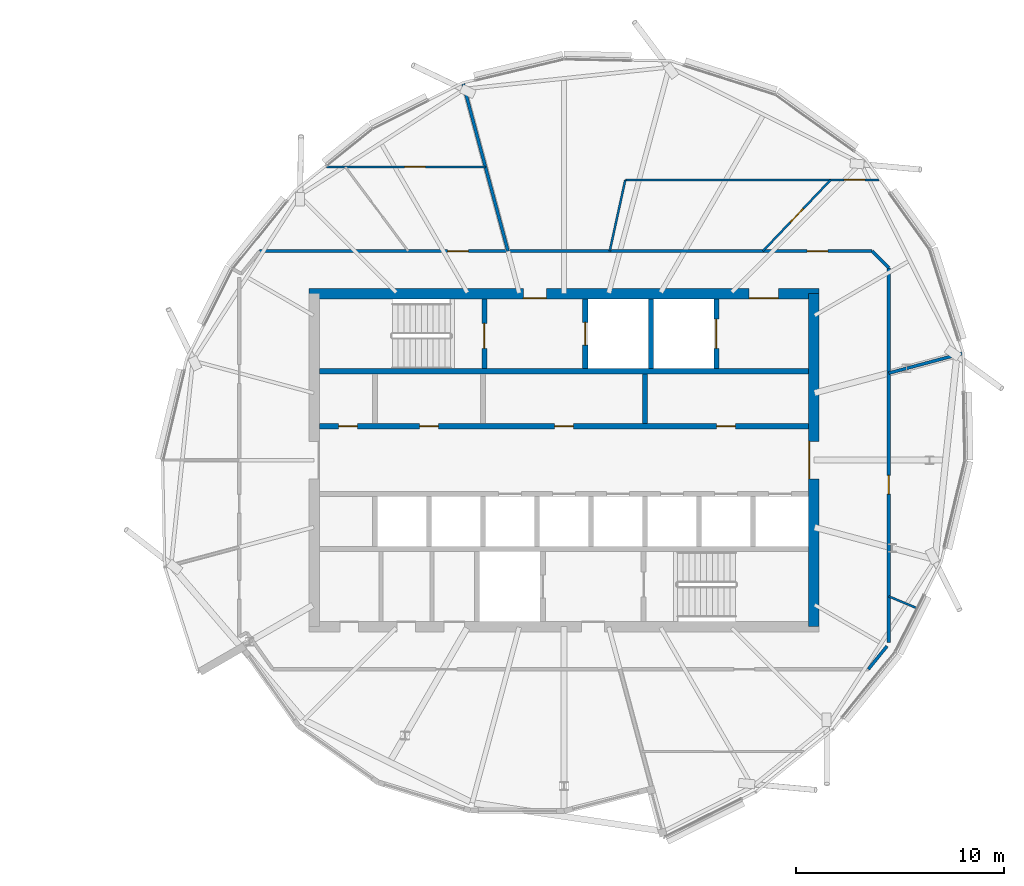
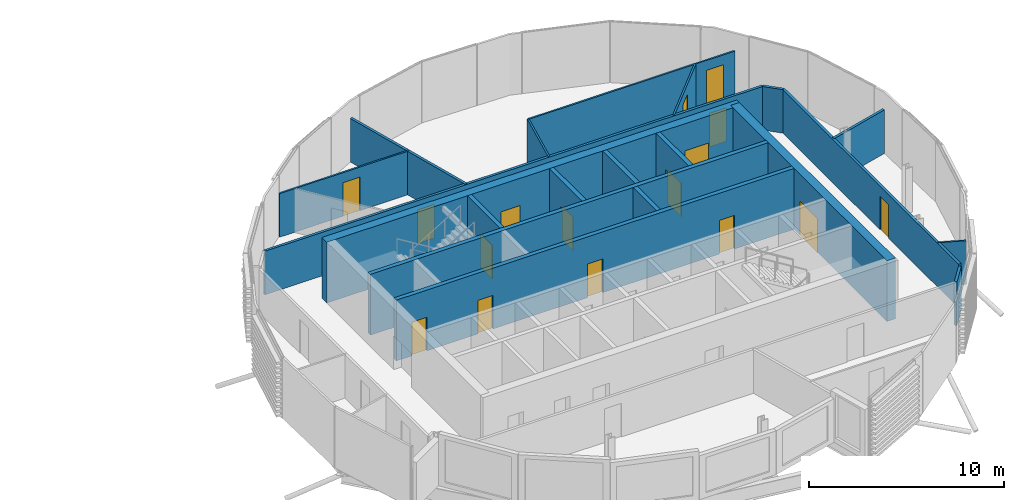
# One storey, part 21 of 33: 20 walls, 16 doors, 16 openings.
"""IFC4 building model written with IfcOpenShell, lengths in metres."""

from ifc_helpers import new_model, si_unit, direction, frame, frame_2d, origin, place, context, subcontext, project, spatial, rectangle, extrude, material, layer, layer_set, type_object, element, fill, save


model = new_model("IFC4")

# Units and contexts
model_context = context("Model", 3, precision=1e-05, world=origin(), true_north=direction((0.0, 1.0)))
body_context = subcontext(model_context, "Body", "Model", "MODEL_VIEW")
ifc_project = project(units=[si_unit("LENGTHUNIT", "METRE"), si_unit("AREAUNIT", "SQUARE_METRE"), si_unit("VOLUMEUNIT", "CUBIC_METRE"), si_unit("PLANEANGLEUNIT", "RADIAN"), si_unit("MASSUNIT", "GRAM", prefix="KILO")], contexts=[model_context])

# Site, building, storey
site_placement = place(None, origin())
site = spatial("IfcSite", under=ifc_project, at=site_placement, CompositionType="ELEMENT")
building_placement = place(site_placement, origin())
building = spatial("IfcBuilding", under=site, at=building_placement, Name="Rimbun Link Towers", CompositionType="ELEMENT")
storey_placement = place(building_placement, frame((0.0, 0.0, 240.89990234375)))
storey = spatial("IfcBuildingStorey", under=building, at=storey_placement, Name="L59", CompositionType="ELEMENT", Elevation=240.89990234375)

# Wall, openings, doors
ifc_material_1 = material(Name="Concrete C60/75", Category="concrete")
ifc_layer_1 = layer(ifc_material_1, 0.5)
ifc_layer_set_1 = layer_set([ifc_layer_1], Name="Core shear wall 500")
wall_type_1 = type_object("IfcWallType", Name="Core shear wall 500", PredefinedType="SHEAR", material=ifc_layer_set_1)
wall_1_placement = place(storey_placement, frame((19.5, 8.0, 0.0), z_axis=(0.0, 0.0, 1.0), x_axis=(1.0, 0.0, 0.0)))
wall_1 = element("IfcWall", 1, at=wall_1_placement, inside=storey, type_object=wall_type_1, Name="L59 T2 core wall N", PredefinedType="SHEAR", context=body_context, shape_type="SweptSolid", body=[
    extrude(rectangle(XDim=24.5, YDim=0.5, at=frame_2d((12.25, 0.0))), origin(), (0.0, 0.0, 1.0), 3.800048828125),
])
opening_1_placement = place(wall_1_placement, frame((10.300048828125, 0.0, 0.0)))
opening_1 = element("IfcOpeningElement", 2, at=opening_1_placement, cuts=wall_1, Name="Opening C2DCF01N", PredefinedType="OPENING", context=body_context, shape_type="SweptSolid", body=[
    extrude(rectangle(XDim=1.10009765625, YDim=2.10009765625, at=frame_2d((0.550048828125, 1.050048828125))), frame((0.0, 0.260009765625, 0.0), z_axis=(0.0, -1.0, 0.0), x_axis=(1.0, 0.0, 0.0)), (0.0, 0.0, 1.0), 0.52001953125),
])
opening_2_placement = place(wall_1_placement, frame((21.14990234375, 0.0, 0.0)))
opening_2 = element("IfcOpeningElement", 3, at=opening_2_placement, cuts=wall_1, Name="Opening C2DSL02N", PredefinedType="OPENING", context=body_context, shape_type="SweptSolid", body=[
    extrude(rectangle(XDim=1.39990234375, YDim=2.10009765625, at=frame_2d((0.699951171875, 1.050048828125))), frame((0.0, 0.260009765625, 0.0), z_axis=(0.0, -1.0, 0.0), x_axis=(1.0, 0.0, 0.0)), (0.0, 0.0, 1.0), 0.52001953125),
])
ifc_material_2 = material(Name="Steel fire door set", Category="steel")
door_type_1 = type_object("IfcDoorType", Name="Core fire door single", OperationType="SINGLE_SWING_LEFT", PredefinedType="DOOR", material=ifc_material_2)
door_1_placement = place(opening_1_placement, origin())
door_1 = element("IfcDoor", 4, at=door_1_placement, inside=storey, type_object=door_type_1, Name="L59 T2 firefighting lobby n door", OperationType="SINGLE_SWING_LEFT", OverallHeight=2.10009765625, OverallWidth=1.10009765625, PredefinedType="DOOR", context=body_context, shape_type="SweptSolid", body=[
    extrude(rectangle(XDim=1.10009765625, YDim=2.10009765625, at=frame_2d((0.550048828125, 1.050048828125))), frame((0.0, -0.2001953125, 0.0), z_axis=(0.0, -1.0, 0.0), x_axis=(1.0, 0.0, 0.0)), (0.0, 0.0, 1.0), 0.050048828125),
])
fill(opening_1, door_1)
ifc_material_3 = material(Name="Steel fire door set", Category="steel")
door_type_2 = type_object("IfcDoorType", Name="Service lobby door double", OperationType="DOUBLE_DOOR_SINGLE_SWING", PredefinedType="DOOR", material=ifc_material_3)
door_2_placement = place(opening_2_placement, origin())
door_2 = element("IfcDoor", 5, at=door_2_placement, inside=storey, type_object=door_type_2, Name="L59 T2 service lobby door", OperationType="DOUBLE_DOOR_SINGLE_SWING", OverallHeight=2.10009765625, OverallWidth=1.39990234375, PredefinedType="DOOR", context=body_context, shape_type="SweptSolid", body=[
    extrude(rectangle(XDim=1.39990234375, YDim=2.10009765625, at=frame_2d((0.699951171875, 1.050048828125))), frame((0.0, -0.2001953125, 0.0), z_axis=(0.0, -1.0, 0.0), x_axis=(1.0, 0.0, 0.0)), (0.0, 0.0, 1.0), 0.050048828125),
])
fill(opening_2, door_2)

# Wall, opening, door
wall_2_placement = place(storey_placement, frame((43.75, -8.0, 0.0), z_axis=(0.0, 0.0, 1.0), x_axis=(0.0, 1.0, 0.0)))
wall_2 = element("IfcWall", 6, at=wall_2_placement, inside=storey, type_object=wall_type_1, Name="L59 T2 core wall E", PredefinedType="SHEAR", context=body_context, shape_type="SweptSolid", body=[
    extrude(rectangle(XDim=16.0, YDim=0.5, at=frame_2d((8.0, 0.0))), origin(), (0.0, 0.0, 1.0), 3.800048828125),
])
opening_3_placement = place(wall_2_placement, frame((7.10009765625, 0.0, 0.0)))
opening_3 = element("IfcOpeningElement", 7, at=opening_3_placement, cuts=wall_2, Name="Opening C2DCL01E", PredefinedType="OPENING", context=body_context, shape_type="SweptSolid", body=[
    extrude(rectangle(XDim=1.800048828125, YDim=2.10009765625, at=frame_2d((0.89990234375, 1.050048828125))), frame((0.0, 0.260009765625, 0.0), z_axis=(0.0, -1.0, 0.0), x_axis=(1.0, 0.0, 0.0)), (0.0, 0.0, 1.0), 0.52001953125),
])
ifc_material_4 = material(Name="Steel fire door set", Category="steel")
door_type_3 = type_object("IfcDoorType", Name="Core lobby door double", OperationType="DOUBLE_DOOR_SINGLE_SWING", PredefinedType="DOOR", material=ifc_material_4)
door_3_placement = place(opening_3_placement, origin())
door_3 = element("IfcDoor", 8, at=door_3_placement, inside=storey, type_object=door_type_3, Name="L59 T2 lift lobby door", OperationType="DOUBLE_DOOR_SINGLE_SWING", OverallHeight=2.10009765625, OverallWidth=1.800048828125, PredefinedType="DOOR", context=body_context, shape_type="SweptSolid", body=[
    extrude(rectangle(XDim=1.800048828125, YDim=2.10009765625, at=frame_2d((0.89990234375, 1.050048828125))), frame((0.0, 0.25, 0.0), z_axis=(0.0, -1.0, 0.0), x_axis=(1.0, 0.0, 0.0)), (0.0, 0.0, 1.0), 0.050048828125),
])
fill(opening_3, door_3)

# Wall
ifc_material_5 = material(Name="Plasterboard on steel stud, mineral wool", Category="steel")
ifc_layer_2 = layer(ifc_material_5, 0.14990234375)
ifc_layer_set_2 = layer_set([ifc_layer_2], Name="Corridor wall EI 30 150 mm")
wall_type_2 = type_object("IfcWallType", Name="Corridor wall EI 30 150 mm", PredefinedType="PARTITIONING", material=ifc_layer_set_2)
wall_3_placement = place(storey_placement, frame((47.35498046875, 9.24365234375, 0.0), z_axis=(0.0, 0.0, 1.0), x_axis=(-0.707106781187, 0.707106781187, 0.0)))
element("IfcWall", 9, at=wall_3_placement, inside=storey, type_object=wall_type_2, Name="Corridor wall EI 30 150 mm", PredefinedType="PARTITIONING", context=body_context, shape_type="SweptSolid", body=[
    extrude(rectangle(XDim=1.133056640625, YDim=0.14990234375, at=frame_2d((0.56640625, 0.0))), origin(), (0.0, 0.0, 1.0), 2.72216796875),
])

# Wall, opening, door
wall_4_placement = place(storey_placement, frame((47.35498046875, 9.24365234375, 0.0), z_axis=(0.0, 0.0, 1.0), x_axis=(0.0, -1.0, 0.0)))
wall_4 = element("IfcWall", 10, at=wall_4_placement, inside=storey, type_object=wall_type_2, Name="Corridor wall EI 30 150 mm", PredefinedType="PARTITIONING", context=body_context, shape_type="SweptSolid", body=[
    extrude(rectangle(XDim=18.01318359375, YDim=0.14990234375, at=frame_2d((9.006591796875, 0.0))), origin(), (0.0, 0.0, 1.0), 2.72216796875),
])
opening_4_placement = place(wall_4_placement, frame((9.9755859375, 0.0, 0.0)))
opening_4 = element("IfcOpeningElement", 11, at=opening_4_placement, cuts=wall_4, Name="Opening D02", PredefinedType="OPENING", context=body_context, shape_type="SweptSolid", body=[
    extrude(rectangle(XDim=0.89990234375, YDim=2.10009765625, at=frame_2d((0.449951171875, 1.050048828125))), frame((0.0, 0.0849609375, 0.0), z_axis=(0.0, -1.0, 0.0), x_axis=(1.0, 0.0, 0.0)), (0.0, 0.0, 1.0), 0.169921875),
])
ifc_material_6 = material(Name="Fire-resisting timber door leaf", Category="wood")
door_type_4 = type_object("IfcDoorType", Name="Fire door FD30S 900", OperationType="NOTDEFINED", PredefinedType="DOOR", material=ifc_material_6)
door_4_placement = place(opening_4_placement, origin())
door_4 = element("IfcDoor", 12, at=door_4_placement, inside=storey, type_object=door_type_4, Name="Fire door FD30S 900 to Meeting room", OperationType="SINGLE_SWING_LEFT", OverallHeight=2.10009765625, OverallWidth=0.89990234375, PredefinedType="DOOR", context=body_context, shape_type="SweptSolid", body=[
    extrude(rectangle(XDim=0.89990234375, YDim=2.10009765625, at=frame_2d((0.449951171875, 1.050048828125))), frame((0.0, 0.02490234375, 0.0), z_axis=(0.0, -1.0, 0.0), x_axis=(1.0, 0.0, 0.0)), (0.0, 0.0, 1.0), 0.050048828125),
])
fill(opening_4, door_4)

# Wall
wall_5_placement = place(storey_placement, frame((46.37353515625, -10.044921875, 0.0), z_axis=(0.0, 0.0, 1.0), x_axis=(0.629149019121, 0.777284704428, 0.0)))
element("IfcWall", 13, at=wall_5_placement, inside=storey, type_object=wall_type_2, Name="Corridor wall EI 30 150 mm", PredefinedType="PARTITIONING", context=body_context, shape_type="SweptSolid", body=[
    extrude(rectangle(XDim=1.42724609375, YDim=0.14990234375, at=frame_2d((0.713623046875, 0.0))), origin(), (0.0, 0.0, 1.0), 2.72216796875),
])

# Wall, openings, doors
wall_6_placement = place(storey_placement, frame((17.12646484375, 10.044921875, 0.0), z_axis=(0.0, 0.0, 1.0), x_axis=(1.0, 0.0, 0.0)))
wall_6 = element("IfcWall", 14, at=wall_6_placement, inside=storey, type_object=wall_type_2, Name="Corridor wall EI 30 150 mm", PredefinedType="PARTITIONING", context=body_context, shape_type="SweptSolid", body=[
    extrude(rectangle(XDim=29.42724609375, YDim=0.14990234375, at=frame_2d((14.713623046875, 0.0))), origin(), (0.0, 0.0, 1.0), 2.72216796875),
])
opening_5_placement = place(wall_6_placement, frame((26.30419921875, 0.0, 0.0)))
opening_5 = element("IfcOpeningElement", 15, at=opening_5_placement, cuts=wall_6, Name="Opening D01", PredefinedType="OPENING", context=body_context, shape_type="SweptSolid", body=[
    extrude(rectangle(XDim=1.0, YDim=2.10009765625, at=frame_2d((0.5, 1.050048828125))), frame((0.0, 0.0849609375, 0.0), z_axis=(0.0, -1.0, 0.0), x_axis=(1.0, 0.0, 0.0)), (0.0, 0.0, 1.0), 0.169921875),
])
opening_6_placement = place(wall_6_placement, frame((9.03271484375, 0.0, 0.0)))
opening_6 = element("IfcOpeningElement", 16, at=opening_6_placement, cuts=wall_6, Name="Opening D01", PredefinedType="OPENING", context=body_context, shape_type="SweptSolid", body=[
    extrude(rectangle(XDim=1.0, YDim=2.10009765625, at=frame_2d((0.5, 1.050048828125))), frame((0.0, 0.0849609375, 0.0), z_axis=(0.0, -1.0, 0.0), x_axis=(1.0, 0.0, 0.0)), (0.0, 0.0, 1.0), 0.169921875),
])
ifc_material_7 = material(Name="Fire-resisting timber door leaf", Category="wood")
door_type_5 = type_object("IfcDoorType", Name="Fire door FD30S 1000", OperationType="NOTDEFINED", PredefinedType="DOOR", material=ifc_material_7)
door_5_placement = place(opening_5_placement, origin())
door_5 = element("IfcDoor", 17, at=door_5_placement, inside=storey, type_object=door_type_5, Name="Fire door FD30S 1000 to Reception", OperationType="SINGLE_SWING_RIGHT", OverallHeight=2.10009765625, OverallWidth=1.0, PredefinedType="DOOR", context=body_context, shape_type="SweptSolid", body=[
    extrude(rectangle(XDim=1.0, YDim=2.10009765625, at=frame_2d((0.5, 1.050048828125))), frame((0.0, 0.02490234375, 0.0), z_axis=(0.0, -1.0, 0.0), x_axis=(1.0, 0.0, 0.0)), (0.0, 0.0, 1.0), 0.050048828125),
])
fill(opening_5, door_5)
door_6_placement = place(opening_6_placement, origin())
door_6 = element("IfcDoor", 18, at=door_6_placement, inside=storey, type_object=door_type_5, Name="Fire door FD30S 1000 to Reception", OperationType="SINGLE_SWING_LEFT", OverallHeight=2.10009765625, OverallWidth=1.0, PredefinedType="DOOR", context=body_context, shape_type="SweptSolid", body=[
    extrude(rectangle(XDim=1.0, YDim=2.10009765625, at=frame_2d((0.5, 1.050048828125))), frame((0.0, 0.02490234375, 0.0), z_axis=(0.0, -1.0, 0.0), x_axis=(1.0, 0.0, 0.0)), (0.0, 0.0, 1.0), 0.050048828125),
])
fill(opening_6, door_6)

# Wall
ifc_material_8 = material(Name="Plasterboard on steel stud", Category="steel")
ifc_layer_3 = layer(ifc_material_8, 0.10009765625)
ifc_layer_set_3 = layer_set([ifc_layer_3], Name="Plasterboard partition 100 mm")
wall_type_3 = type_object("IfcWallType", Name="Plasterboard partition 100 mm", PredefinedType="PARTITIONING", material=ifc_layer_set_3)
wall_7_placement = place(storey_placement, frame((48.693603515625, -7.106689453125, 0.0), z_axis=(0.0, 0.0, 1.0), x_axis=(-0.922153744636, 0.386823566052, 0.0)))
element("IfcWall", 19, at=wall_7_placement, inside=storey, type_object=wall_type_3, Name="Plasterboard partition 100 mm", PredefinedType="PARTITIONING", context=body_context, shape_type="SweptSolid", body=[
    extrude(rectangle(XDim=1.45166015625, YDim=0.10009765625, at=frame_2d((0.725830078125, 0.0))), origin(), (0.0, 0.0, 1.0), 2.72216796875),
])

# Wall, opening, door
wall_8_placement = place(storey_placement, frame((41.3076171875, 10.044921875, 0.0), z_axis=(0.0, 0.0, 1.0), x_axis=(0.689305141444, 0.724471132605, 0.0)))
wall_8 = element("IfcWall", 20, at=wall_8_placement, inside=storey, type_object=wall_type_3, Name="Plasterboard partition 100 mm", PredefinedType="PARTITIONING", context=body_context, shape_type="SweptSolid", body=[
    extrude(rectangle(XDim=4.720947265625, YDim=0.10009765625, at=frame_2d((2.3603515625, 0.0))), origin(), (0.0, 0.0, 1.0), 2.72216796875),
])
opening_7_placement = place(wall_8_placement, frame((1.910400390625, 0.0, 0.0)))
opening_7 = element("IfcOpeningElement", 21, at=opening_7_placement, cuts=wall_8, Name="Opening D04", PredefinedType="OPENING", context=body_context, shape_type="SweptSolid", body=[
    extrude(rectangle(XDim=0.89990234375, YDim=2.10009765625, at=frame_2d((0.449951171875, 1.050048828125))), frame((0.0, 0.06005859375, 0.0), z_axis=(0.0, -1.0, 0.0), x_axis=(1.0, 0.0, 0.0)), (0.0, 0.0, 1.0), 0.1201171875),
])
ifc_material_9 = material(Name="Timber door leaf", Category="wood")
door_type_6 = type_object("IfcDoorType", Name="Flush door 900", OperationType="NOTDEFINED", PredefinedType="DOOR", material=ifc_material_9)
door_7_placement = place(opening_7_placement, origin())
door_7 = element("IfcDoor", 22, at=door_7_placement, inside=storey, type_object=door_type_6, Name="Flush door 900 to Meeting room", OperationType="SINGLE_SWING_LEFT", OverallHeight=2.10009765625, OverallWidth=0.89990234375, PredefinedType="DOOR", context=body_context, shape_type="SweptSolid", body=[
    extrude(rectangle(XDim=0.89990234375, YDim=2.10009765625, at=frame_2d((0.449951171875, 1.050048828125))), frame((0.0, 0.02490234375, 0.0), z_axis=(0.0, -1.0, 0.0), x_axis=(1.0, 0.0, 0.0)), (0.0, 0.0, 1.0), 0.050048828125),
])
fill(opening_7, door_7)

wall_9_placement = place(storey_placement, frame((34.695068359375, 13.465087890625, 0.0), z_axis=(0.0, 0.0, 1.0), x_axis=(1.0, 0.0, 0.0)))
wall_9 = element("IfcWall", 23, at=wall_9_placement, inside=storey, type_object=wall_type_3, Name="Plasterboard partition 100 mm", PredefinedType="PARTITIONING", context=body_context, shape_type="SweptSolid", body=[
    extrude(rectangle(XDim=12.19921875, YDim=0.10009765625, at=frame_2d((6.099609375, 0.0))), origin(), (0.0, 0.0, 1.0), 2.72216796875),
])
opening_8_placement = place(wall_9_placement, frame((10.51220703125, 0.0, 0.0)))
opening_8 = element("IfcOpeningElement", 24, at=opening_8_placement, cuts=wall_9, Name="Opening D03", PredefinedType="OPENING", context=body_context, shape_type="SweptSolid", body=[
    extrude(rectangle(XDim=1.0, YDim=2.10009765625, at=frame_2d((0.5, 1.050048828125))), frame((0.0, 0.06005859375, 0.0), z_axis=(0.0, -1.0, 0.0), x_axis=(1.0, 0.0, 0.0)), (0.0, 0.0, 1.0), 0.1201171875),
])
ifc_material_10 = material(Name="Timber door leaf", Category="wood")
door_type_7 = type_object("IfcDoorType", Name="Flush door 1000", OperationType="NOTDEFINED", PredefinedType="DOOR", material=ifc_material_10)
door_8_placement = place(opening_8_placement, origin())
door_8 = element("IfcDoor", 25, at=door_8_placement, inside=storey, type_object=door_type_7, Name="Flush door 1000 to Open office", OperationType="SINGLE_SWING_LEFT", OverallHeight=2.10009765625, OverallWidth=1.0, PredefinedType="DOOR", context=body_context, shape_type="SweptSolid", body=[
    extrude(rectangle(XDim=1.0, YDim=2.10009765625, at=frame_2d((0.5, 1.050048828125))), frame((0.0, 0.02490234375, 0.0), z_axis=(0.0, -1.0, 0.0), x_axis=(1.0, 0.0, 0.0)), (0.0, 0.0, 1.0), 0.050048828125),
])
fill(opening_8, door_8)

# Wall
wall_10_placement = place(storey_placement, frame((34.695068359375, 13.465087890625, 0.0), z_axis=(0.0, 0.0, 1.0), x_axis=(-0.213665683514, -0.976906840844, 0.0)))
element("IfcWall", 26, at=wall_10_placement, inside=storey, type_object=wall_type_3, Name="Plasterboard partition 100 mm", PredefinedType="PARTITIONING", context=body_context, shape_type="SweptSolid", body=[
    extrude(rectangle(XDim=3.5009765625, YDim=0.10009765625, at=frame_2d((1.75048828125, 0.0))), origin(), (0.0, 0.0, 1.0), 2.72216796875),
])

# Wall, opening, door
wall_11_placement = place(storey_placement, frame((20.336669921875, 14.094970703125, 0.0), z_axis=(0.0, 0.0, 1.0), x_axis=(1.0, 0.0, 0.0)))
wall_11 = element("IfcWall", 27, at=wall_11_placement, inside=storey, type_object=wall_type_3, Name="Plasterboard partition 100 mm", PredefinedType="PARTITIONING", context=body_context, shape_type="SweptSolid", body=[
    extrude(rectangle(XDim=7.63671875, YDim=0.10009765625, at=frame_2d((3.818359375, 0.0))), origin(), (0.0, 0.0, 1.0), 2.72216796875),
])
opening_9_placement = place(wall_11_placement, frame((3.7548828125, 0.0, 0.0)))
opening_9 = element("IfcOpeningElement", 28, at=opening_9_placement, cuts=wall_11, Name="Opening D03", PredefinedType="OPENING", context=body_context, shape_type="SweptSolid", body=[
    extrude(rectangle(XDim=1.0, YDim=2.10009765625, at=frame_2d((0.5, 1.050048828125))), frame((0.0, 0.06005859375, 0.0), z_axis=(0.0, -1.0, 0.0), x_axis=(1.0, 0.0, 0.0)), (0.0, 0.0, 1.0), 0.1201171875),
])
door_9_placement = place(opening_9_placement, origin())
door_9 = element("IfcDoor", 29, at=door_9_placement, inside=storey, type_object=door_type_7, Name="Flush door 1000 to Boardroom", OperationType="SINGLE_SWING_RIGHT", OverallHeight=2.10009765625, OverallWidth=1.0, PredefinedType="DOOR", context=body_context, shape_type="SweptSolid", body=[
    extrude(rectangle(XDim=1.0, YDim=2.10009765625, at=frame_2d((0.5, 1.050048828125))), frame((0.0, 0.02490234375, 0.0), z_axis=(0.0, -1.0, 0.0), x_axis=(1.0, 0.0, 0.0)), (0.0, 0.0, 1.0), 0.050048828125),
])
fill(opening_9, door_9)

# Wall
ifc_material_11 = material(Name="Concrete C60/75", Category="concrete")
ifc_layer_4 = layer(ifc_material_11, 0.25)
ifc_layer_set_4 = layer_set([ifc_layer_4], Name="Shaft wall 250")
wall_type_4 = type_object("IfcWallType", Name="Shaft wall 250", PredefinedType="SHEAR", material=ifc_layer_set_4)
wall_12_placement = place(storey_placement, frame((20.0, 4.27490234375, 0.0), z_axis=(0.0, 0.0, 1.0), x_axis=(1.0, 0.0, 0.0)))
element("IfcWall", 30, at=wall_12_placement, inside=storey, type_object=wall_type_4, Name="L59 T2 core wall BN", PredefinedType="SHEAR", context=body_context, shape_type="SweptSolid", body=[
    extrude(rectangle(XDim=23.5, YDim=0.25, at=frame_2d((11.75, 0.0))), origin(), (0.0, 0.0, 1.0), 3.800048828125),
])

# Wall, openings, doors
wall_13_placement = place(storey_placement, frame((20.0, 1.625, 0.0), z_axis=(0.0, 0.0, 1.0), x_axis=(1.0, 0.0, 0.0)))
wall_13 = element("IfcWall", 31, at=wall_13_placement, inside=storey, type_object=wall_type_4, Name="L59 T2 core wall FN", PredefinedType="SHEAR", context=body_context, shape_type="SweptSolid", body=[
    extrude(rectangle(XDim=23.5, YDim=0.25, at=frame_2d((11.75, 0.0))), origin(), (0.0, 0.0, 1.0), 3.800048828125),
])
opening_10_placement = place(wall_13_placement, frame((0.922119140625, 0.0, 0.0)))
opening_10 = element("IfcOpeningElement", 32, at=opening_10_placement, cuts=wall_13, Name="Opening C2DRS01FN", PredefinedType="OPENING", context=body_context, shape_type="SweptSolid", body=[
    extrude(rectangle(XDim=0.89990234375, YDim=2.10009765625, at=frame_2d((0.449951171875, 1.050048828125))), frame((0.0, 0.135009765625, 0.0), z_axis=(0.0, -1.0, 0.0), x_axis=(1.0, 0.0, 0.0)), (0.0, 0.0, 1.0), 0.27001953125),
])
opening_11_placement = place(wall_13_placement, frame((4.81396484375, 0.0, 0.0)))
opening_11 = element("IfcOpeningElement", 33, at=opening_11_placement, cuts=wall_13, Name="Opening C2DRS02FN", PredefinedType="OPENING", context=body_context, shape_type="SweptSolid", body=[
    extrude(rectangle(XDim=0.89990234375, YDim=2.10009765625, at=frame_2d((0.449951171875, 1.050048828125))), frame((0.0, 0.135009765625, 0.0), z_axis=(0.0, -1.0, 0.0), x_axis=(1.0, 0.0, 0.0)), (0.0, 0.0, 1.0), 0.27001953125),
])
opening_12_placement = place(wall_13_placement, frame((11.300048828125, 0.0, 0.0)))
opening_12 = element("IfcOpeningElement", 34, at=opening_12_placement, cuts=wall_13, Name="Opening C2DRS03FN", PredefinedType="OPENING", context=body_context, shape_type="SweptSolid", body=[
    extrude(rectangle(XDim=0.89990234375, YDim=2.10009765625, at=frame_2d((0.449951171875, 1.050048828125))), frame((0.0, 0.135009765625, 0.0), z_axis=(0.0, -1.0, 0.0), x_axis=(1.0, 0.0, 0.0)), (0.0, 0.0, 1.0), 0.27001953125),
])
opening_13_placement = place(wall_13_placement, frame((19.083251953125, 0.0, 0.0)))
opening_13 = element("IfcOpeningElement", 35, at=opening_13_placement, cuts=wall_13, Name="Opening C2DRS04FN", PredefinedType="OPENING", context=body_context, shape_type="SweptSolid", body=[
    extrude(rectangle(XDim=0.89990234375, YDim=2.10009765625, at=frame_2d((0.449951171875, 1.050048828125))), frame((0.0, 0.135009765625, 0.0), z_axis=(0.0, -1.0, 0.0), x_axis=(1.0, 0.0, 0.0)), (0.0, 0.0, 1.0), 0.27001953125),
])
ifc_material_12 = material(Name="Steel fire door set", Category="steel")
door_type_8 = type_object("IfcDoorType", Name="Core riser door", OperationType="SINGLE_SWING_LEFT", PredefinedType="DOOR", material=ifc_material_12)
door_10_placement = place(opening_10_placement, origin())
door_10 = element("IfcDoor", 36, at=door_10_placement, inside=storey, type_object=door_type_8, Name="L59 T2 cleaner store door", OperationType="SINGLE_SWING_RIGHT", OverallHeight=2.10009765625, OverallWidth=0.89990234375, PredefinedType="DOOR", context=body_context, shape_type="SweptSolid", body=[
    extrude(rectangle(XDim=0.89990234375, YDim=2.10009765625, at=frame_2d((0.449951171875, 1.050048828125))), frame((0.0, 0.02490234375, 0.0), z_axis=(0.0, -1.0, 0.0), x_axis=(1.0, 0.0, 0.0)), (0.0, 0.0, 1.0), 0.050048828125),
])
fill(opening_10, door_10)
door_11_placement = place(opening_11_placement, origin())
door_11 = element("IfcDoor", 37, at=door_11_placement, inside=storey, type_object=door_type_8, Name="L59 T2 staff lounge door", OperationType="SINGLE_SWING_LEFT", OverallHeight=2.10009765625, OverallWidth=0.89990234375, PredefinedType="DOOR", context=body_context, shape_type="SweptSolid", body=[
    extrude(rectangle(XDim=0.89990234375, YDim=2.10009765625, at=frame_2d((0.449951171875, 1.050048828125))), frame((0.0, 0.02490234375, 0.0), z_axis=(0.0, -1.0, 0.0), x_axis=(1.0, 0.0, 0.0)), (0.0, 0.0, 1.0), 0.050048828125),
])
fill(opening_11, door_11)
door_12_placement = place(opening_12_placement, origin())
door_12 = element("IfcDoor", 38, at=door_12_placement, inside=storey, type_object=door_type_8, Name="L59 T2 training store door", OperationType="SINGLE_SWING_LEFT", OverallHeight=2.10009765625, OverallWidth=0.89990234375, PredefinedType="DOOR", context=body_context, shape_type="SweptSolid", body=[
    extrude(rectangle(XDim=0.89990234375, YDim=2.10009765625, at=frame_2d((0.449951171875, 1.050048828125))), frame((0.0, 0.02490234375, 0.0), z_axis=(0.0, -1.0, 0.0), x_axis=(1.0, 0.0, 0.0)), (0.0, 0.0, 1.0), 0.050048828125),
])
fill(opening_12, door_12)
door_13_placement = place(opening_13_placement, origin())
door_13 = element("IfcDoor", 39, at=door_13_placement, inside=storey, type_object=door_type_8, Name="L59 T2 meeting pod door", OperationType="SINGLE_SWING_LEFT", OverallHeight=2.10009765625, OverallWidth=0.89990234375, PredefinedType="DOOR", context=body_context, shape_type="SweptSolid", body=[
    extrude(rectangle(XDim=0.89990234375, YDim=2.10009765625, at=frame_2d((0.449951171875, 1.050048828125))), frame((0.0, 0.02490234375, 0.0), z_axis=(0.0, -1.0, 0.0), x_axis=(1.0, 0.0, 0.0)), (0.0, 0.0, 1.0), 0.050048828125),
])
fill(opening_13, door_13)

# Wall
wall_14_placement = place(storey_placement, frame((35.6416015625, 1.75, 0.0), z_axis=(0.0, 0.0, 1.0), x_axis=(0.0, 1.0, 0.0)))
element("IfcWall", 40, at=wall_14_placement, inside=storey, type_object=wall_type_4, Name="L59 T2 core wall DN5", PredefinedType="SHEAR", context=body_context, shape_type="SweptSolid", body=[
    extrude(rectangle(XDim=2.39990234375, YDim=0.25, at=frame_2d((1.199951171875, 0.0))), origin(), (0.0, 0.0, 1.0), 3.800048828125),
])

# Wall, opening, door
wall_15_placement = place(storey_placement, frame((27.925048828125, 4.39990234375, 0.0), z_axis=(0.0, 0.0, 1.0), x_axis=(0.0, 1.0, 0.0)))
wall_15 = element("IfcWall", 41, at=wall_15_placement, inside=storey, type_object=wall_type_4, Name="L59 T2 core wall A1", PredefinedType="SHEAR", context=body_context, shape_type="SweptSolid", body=[
    extrude(rectangle(XDim=3.35009765625, YDim=0.25, at=frame_2d((1.675048828125, 0.0))), origin(), (0.0, 0.0, 1.0), 3.800048828125),
])
opening_14_placement = place(wall_15_placement, frame((0.97509765625, 0.0, 0.0)))
opening_14 = element("IfcOpeningElement", 42, at=opening_14_placement, cuts=wall_15, Name="Opening C2DST01A1", PredefinedType="OPENING", context=body_context, shape_type="SweptSolid", body=[
    extrude(rectangle(XDim=1.199951171875, YDim=2.10009765625, at=frame_2d((0.60009765625, 1.050048828125))), frame((0.0, 0.135009765625, 0.0), z_axis=(0.0, -1.0, 0.0), x_axis=(1.0, 0.0, 0.0)), (0.0, 0.0, 1.0), 0.27001953125),
])
ifc_material_13 = material(Name="Steel fire door set", Category="steel")
door_type_9 = type_object("IfcDoorType", Name="Stair door", OperationType="SINGLE_SWING_LEFT", PredefinedType="DOOR", material=ifc_material_13)
door_14_placement = place(opening_14_placement, origin())
door_14 = element("IfcDoor", 43, at=door_14_placement, inside=storey, type_object=door_type_9, Name="L59 T2 stair a door", OperationType="SINGLE_SWING_LEFT", OverallHeight=2.10009765625, OverallWidth=1.199951171875, PredefinedType="DOOR", context=body_context, shape_type="SweptSolid", body=[
    extrude(rectangle(XDim=1.199951171875, YDim=2.10009765625, at=frame_2d((0.60009765625, 1.050048828125))), frame((0.0, 0.02490234375, 0.0), z_axis=(0.0, -1.0, 0.0), x_axis=(1.0, 0.0, 0.0)), (0.0, 0.0, 1.0), 0.050048828125),
])
fill(opening_14, door_14)

wall_16_placement = place(storey_placement, frame((32.77490234375, 4.39990234375, 0.0), z_axis=(0.0, 0.0, 1.0), x_axis=(0.0, 1.0, 0.0)))
wall_16 = element("IfcWall", 44, at=wall_16_placement, inside=storey, type_object=wall_type_4, Name="L59 T2 core wall A2", PredefinedType="SHEAR", context=body_context, shape_type="SweptSolid", body=[
    extrude(rectangle(XDim=3.35009765625, YDim=0.25, at=frame_2d((1.675048828125, 0.0))), origin(), (0.0, 0.0, 1.0), 3.800048828125),
])
opening_15_placement = place(wall_16_placement, frame((1.125, 0.0, 0.0)))
opening_15 = element("IfcOpeningElement", 45, at=opening_15_placement, cuts=wall_16, Name="Opening LD-T2-FF1", PredefinedType="OPENING", context=body_context, shape_type="SweptSolid", body=[
    extrude(rectangle(XDim=1.10009765625, YDim=2.10009765625, at=frame_2d((0.550048828125, 1.050048828125))), frame((0.0, 0.135009765625, 0.0), z_axis=(0.0, -1.0, 0.0), x_axis=(1.0, 0.0, 0.0)), (0.0, 0.0, 1.0), 0.27001953125),
])
ifc_material_14 = material(Name="Stainless steel grade 316", Category="steel")
door_type_10 = type_object("IfcDoorType", Name="Lift landing door", OperationType="DOUBLE_DOOR_SLIDING", PredefinedType="DOOR", material=ifc_material_14)
door_15_placement = place(opening_15_placement, origin())
door_15 = element("IfcDoor", 46, at=door_15_placement, inside=storey, type_object=door_type_10, Name="L59 T2 lift FF1 landing door", OperationType="DOUBLE_DOOR_SLIDING", OverallHeight=2.10009765625, OverallWidth=1.10009765625, PredefinedType="DOOR", context=body_context, shape_type="SweptSolid", body=[
    extrude(rectangle(XDim=1.10009765625, YDim=2.10009765625, at=frame_2d((0.550048828125, 1.050048828125))), frame((0.0, 0.02490234375, 0.0), z_axis=(0.0, -1.0, 0.0), x_axis=(1.0, 0.0, 0.0)), (0.0, 0.0, 1.0), 0.050048828125),
])
fill(opening_15, door_15)

# Wall
wall_17_placement = place(storey_placement, frame((35.925048828125, 4.39990234375, 0.0), z_axis=(0.0, 0.0, 1.0), x_axis=(0.0, 1.0, 0.0)))
element("IfcWall", 47, at=wall_17_placement, inside=storey, type_object=wall_type_4, Name="L59 T2 core wall A3", PredefinedType="SHEAR", context=body_context, shape_type="SweptSolid", body=[
    extrude(rectangle(XDim=3.35009765625, YDim=0.25, at=frame_2d((1.675048828125, 0.0))), origin(), (0.0, 0.0, 1.0), 3.800048828125),
])

# Wall, opening, door
wall_18_placement = place(storey_placement, frame((39.074951171875, 4.39990234375, 0.0), z_axis=(0.0, 0.0, 1.0), x_axis=(0.0, 1.0, 0.0)))
wall_18 = element("IfcWall", 48, at=wall_18_placement, inside=storey, type_object=wall_type_4, Name="L59 T2 core wall A4", PredefinedType="SHEAR", context=body_context, shape_type="SweptSolid", body=[
    extrude(rectangle(XDim=3.35009765625, YDim=0.25, at=frame_2d((1.675048828125, 0.0))), origin(), (0.0, 0.0, 1.0), 3.800048828125),
])
opening_16_placement = place(wall_18_placement, frame((0.97509765625, 0.0, 0.0)))
opening_16 = element("IfcOpeningElement", 49, at=opening_16_placement, cuts=wall_18, Name="Opening LD-T2-GL1", PredefinedType="OPENING", context=body_context, shape_type="SweptSolid", body=[
    extrude(rectangle(XDim=1.39990234375, YDim=2.10009765625, at=frame_2d((0.699951171875, 1.050048828125))), frame((0.0, 0.135009765625, 0.0), z_axis=(0.0, -1.0, 0.0), x_axis=(1.0, 0.0, 0.0)), (0.0, 0.0, 1.0), 0.27001953125),
])
ifc_material_15 = material(Name="Stainless steel grade 316", Category="steel")
door_type_11 = type_object("IfcDoorType", Name="Goods lift landing door", OperationType="DOUBLE_DOOR_SLIDING", PredefinedType="DOOR", material=ifc_material_15)
door_16_placement = place(opening_16_placement, origin())
door_16 = element("IfcDoor", 50, at=door_16_placement, inside=storey, type_object=door_type_11, Name="L59 T2 lift GL1 landing door", OperationType="DOUBLE_DOOR_SLIDING", OverallHeight=2.10009765625, OverallWidth=1.39990234375, PredefinedType="DOOR", context=body_context, shape_type="SweptSolid", body=[
    extrude(rectangle(XDim=1.39990234375, YDim=2.10009765625, at=frame_2d((0.699951171875, 1.050048828125))), frame((0.0, 0.02490234375, 0.0), z_axis=(0.0, -1.0, 0.0), x_axis=(1.0, 0.0, 0.0)), (0.0, 0.0, 1.0), 0.050048828125),
])
fill(opening_16, door_16)

# Walls
ifc_material_16 = material(Name="Plasterboard on steel stud, mineral wool", Category="steel")
ifc_layer_5 = layer(ifc_material_16, 0.14990234375)
ifc_layer_set_5 = layer_set([ifc_layer_5], Name="Tenancy separation wall EI 60 150 mm")
wall_type_5 = type_object("IfcWallType", Name="Tenancy separation wall EI 60 150 mm", PredefinedType="PARTITIONING", material=ifc_layer_set_5)
wall_19_placement = place(storey_placement, frame((29.05859375, 10.044921875, 0.0), z_axis=(0.0, 0.0, 1.0), x_axis=(-0.258840735474, 0.965920014111, 0.0)))
element("IfcWall", 51, at=wall_19_placement, inside=storey, type_object=wall_type_5, Name="Tenancy separation wall EI 60 150 mm", PredefinedType="PARTITIONING", context=body_context, shape_type="SweptSolid", body=[
    extrude(rectangle(XDim=8.318115234375, YDim=0.14990234375, at=frame_2d((4.1591796875, 0.0))), origin(), (0.0, 0.0, 1.0), 2.72216796875),
])
wall_20_placement = place(storey_placement, frame((47.35498046875, 4.181396484375, 0.0), z_axis=(0.0, 0.0, 1.0), x_axis=(0.965928942389, 0.258807415381, 0.0)))
element("IfcWall", 52, at=wall_20_placement, inside=storey, type_object=wall_type_5, Name="Tenancy separation wall EI 60 150 mm", PredefinedType="PARTITIONING", context=body_context, shape_type="SweptSolid", body=[
    extrude(rectangle(XDim=3.649658203125, YDim=0.14990234375, at=frame_2d((1.82470703125, 0.0))), origin(), (0.0, 0.0, 1.0), 2.72216796875),
])

save(model, "model.ifc")
